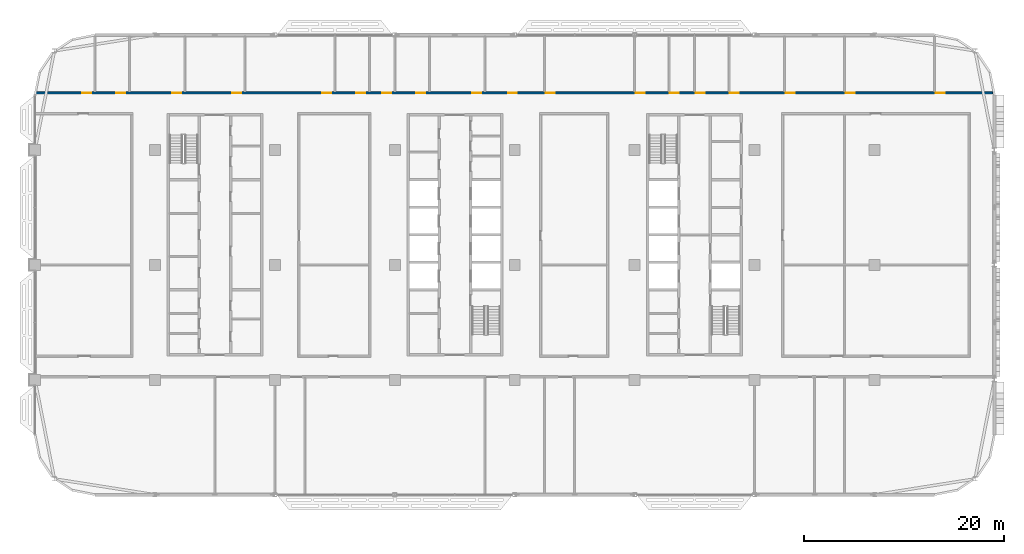
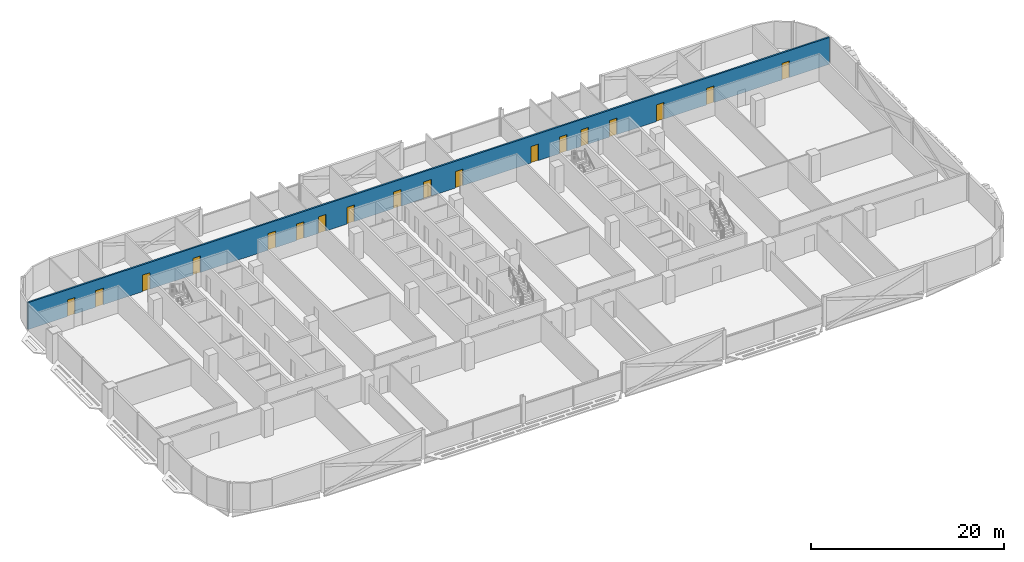
# One storey, part 16 of 30: 18 doors, 1 wall, 18 openings.
"""IFC4 building model written with IfcOpenShell, lengths in metres."""

from ifc_helpers import new_model, si_unit, direction, frame, frame_2d, origin, place, context, subcontext, project, spatial, rectangle, extrude, material, layer, layer_set, type_object, element, fill, save


model = new_model("IFC4")

# Units and contexts
model_context = context("Model", 3, precision=1e-05, world=origin(), true_north=direction((0.0, 1.0)))
body_context = subcontext(model_context, "Body", "Model", "MODEL_VIEW")
ifc_project = project(units=[si_unit("LENGTHUNIT", "METRE"), si_unit("AREAUNIT", "SQUARE_METRE"), si_unit("VOLUMEUNIT", "CUBIC_METRE"), si_unit("PLANEANGLEUNIT", "RADIAN"), si_unit("MASSUNIT", "GRAM", prefix="KILO")], contexts=[model_context])

# Site, building, storey
site_placement = place(None, origin())
site = spatial("IfcSite", under=ifc_project, at=site_placement, CompositionType="ELEMENT")
building_placement = place(site_placement, origin())
building = spatial("IfcBuilding", under=site, at=building_placement, Name="Mahtab Terrace Research Tower", CompositionType="ELEMENT")
storey_placement = place(building_placement, frame((0.0, 0.0, 220.5)))
storey = spatial("IfcBuildingStorey", under=building, at=storey_placement, Name="L53", CompositionType="ELEMENT", Elevation=220.5)

# Wall, openings, doors
ifc_material_1 = material(Name="Gypsum board corridor wall on steel studs", Category="steel")
ifc_layer = layer(ifc_material_1, 0.199951171875)
ifc_layer_set = layer_set([ifc_layer], Name="WALL CORRIDOR 200")
wall_type = type_object("IfcWallType", Name="WALL CORRIDOR 200", PredefinedType="PARTITIONING", material=ifc_layer_set)
wall_placement = place(storey_placement, frame((-41.97509765625, 17.199951171875, 0.0), z_axis=(0.0, 0.0, 1.0), x_axis=(1.0, 0.0, 0.0)))
wall = element("IfcWall", 1, at=wall_placement, inside=storey, type_object=wall_type, Name="L53-W022", PredefinedType="PARTITIONING", context=body_context, shape_type="SweptSolid", body=[
    extrude(rectangle(XDim=95.782470703125, YDim=0.199951171875, at=frame_2d((47.89111328125, 0.0))), origin(), (0.0, 0.0, 1.0), 3.39990234375),
])
opening_1_placement = place(wall_placement, frame((4.699951171875, 0.0, 0.0)))
opening_1 = element("IfcOpeningElement", 2, at=opening_1_placement, cuts=wall, Name="Opening L53-121", PredefinedType="OPENING", context=body_context, shape_type="SweptSolid", body=[
    extrude(rectangle(XDim=0.89990234375, YDim=2.10009765625, at=frame_2d((0.449951171875, 1.050048828125))), frame((0.0, 0.10986328125, 0.0), z_axis=(0.0, -1.0, 0.0), x_axis=(1.0, 0.0, 0.0)), (0.0, 0.0, 1.0), 0.219970703125),
])
opening_2_placement = place(wall_placement, frame((8.10009765625, 0.0, 0.0)))
opening_2 = element("IfcOpeningElement", 3, at=opening_2_placement, cuts=wall, Name="Opening L53-122", PredefinedType="OPENING", context=body_context, shape_type="SweptSolid", body=[
    extrude(rectangle(XDim=0.89990234375, YDim=2.10009765625, at=frame_2d((0.449951171875, 1.050048828125))), frame((0.0, 0.10986328125, 0.0), z_axis=(0.0, -1.0, 0.0), x_axis=(1.0, 0.0, 0.0)), (0.0, 0.0, 1.0), 0.219970703125),
])
opening_3_placement = place(wall_placement, frame((13.699951171875, 0.0, 0.0)))
opening_3 = element("IfcOpeningElement", 4, at=opening_3_placement, cuts=wall, Name="Opening L53-123", PredefinedType="OPENING", context=body_context, shape_type="SweptSolid", body=[
    extrude(rectangle(XDim=0.89990234375, YDim=2.10009765625, at=frame_2d((0.449951171875, 1.050048828125))), frame((0.0, 0.10986328125, 0.0), z_axis=(0.0, -1.0, 0.0), x_axis=(1.0, 0.0, 0.0)), (0.0, 0.0, 1.0), 0.219970703125),
])
opening_4_placement = place(wall_placement, frame((19.699951171875, 0.0, 0.0)))
opening_4 = element("IfcOpeningElement", 5, at=opening_4_placement, cuts=wall, Name="Opening L53-124", PredefinedType="OPENING", context=body_context, shape_type="SweptSolid", body=[
    extrude(rectangle(XDim=0.89990234375, YDim=2.10009765625, at=frame_2d((0.449951171875, 1.050048828125))), frame((0.0, 0.10986328125, 0.0), z_axis=(0.0, -1.0, 0.0), x_axis=(1.0, 0.0, 0.0)), (0.0, 0.0, 1.0), 0.219970703125),
])
opening_5_placement = place(wall_placement, frame((28.699951171875, 0.0, 0.0)))
opening_5 = element("IfcOpeningElement", 6, at=opening_5_placement, cuts=wall, Name="Opening L53-125", PredefinedType="OPENING", context=body_context, shape_type="SweptSolid", body=[
    extrude(rectangle(XDim=0.89990234375, YDim=2.10009765625, at=frame_2d((0.449951171875, 1.050048828125))), frame((0.0, 0.10986328125, 0.0), z_axis=(0.0, -1.0, 0.0), x_axis=(1.0, 0.0, 0.0)), (0.0, 0.0, 1.0), 0.219970703125),
])
opening_6_placement = place(wall_placement, frame((32.10009765625, 0.0, 0.0)))
opening_6 = element("IfcOpeningElement", 7, at=opening_6_placement, cuts=wall, Name="Opening L53-126", PredefinedType="OPENING", context=body_context, shape_type="SweptSolid", body=[
    extrude(rectangle(XDim=0.89990234375, YDim=2.10009765625, at=frame_2d((0.449951171875, 1.050048828125))), frame((0.0, 0.10986328125, 0.0), z_axis=(0.0, -1.0, 0.0), x_axis=(1.0, 0.0, 0.0)), (0.0, 0.0, 1.0), 0.219970703125),
])
opening_7_placement = place(wall_placement, frame((34.699951171875, 0.0, 0.0)))
opening_7 = element("IfcOpeningElement", 8, at=opening_7_placement, cuts=wall, Name="Opening L53-127", PredefinedType="OPENING", context=body_context, shape_type="SweptSolid", body=[
    extrude(rectangle(XDim=0.89990234375, YDim=2.10009765625, at=frame_2d((0.449951171875, 1.050048828125))), frame((0.0, 0.10986328125, 0.0), z_axis=(0.0, -1.0, 0.0), x_axis=(1.0, 0.0, 0.0)), (0.0, 0.0, 1.0), 0.219970703125),
])
opening_8_placement = place(wall_placement, frame((38.10009765625, 0.0, 0.0)))
opening_8 = element("IfcOpeningElement", 9, at=opening_8_placement, cuts=wall, Name="Opening L53-128", PredefinedType="OPENING", context=body_context, shape_type="SweptSolid", body=[
    extrude(rectangle(XDim=0.89990234375, YDim=2.10009765625, at=frame_2d((0.449951171875, 1.050048828125))), frame((0.0, 0.10986328125, 0.0), z_axis=(0.0, -1.0, 0.0), x_axis=(1.0, 0.0, 0.0)), (0.0, 0.0, 1.0), 0.219970703125),
])
opening_9_placement = place(wall_placement, frame((43.699951171875, 0.0, 0.0)))
opening_9 = element("IfcOpeningElement", 10, at=opening_9_placement, cuts=wall, Name="Opening L53-129", PredefinedType="OPENING", context=body_context, shape_type="SweptSolid", body=[
    extrude(rectangle(XDim=0.89990234375, YDim=2.10009765625, at=frame_2d((0.449951171875, 1.050048828125))), frame((0.0, 0.10986328125, 0.0), z_axis=(0.0, -1.0, 0.0), x_axis=(1.0, 0.0, 0.0)), (0.0, 0.0, 1.0), 0.219970703125),
])
opening_10_placement = place(wall_placement, frame((47.300048828125, 0.0, 0.0)))
opening_10 = element("IfcOpeningElement", 11, at=opening_10_placement, cuts=wall, Name="Opening L53-130", PredefinedType="OPENING", context=body_context, shape_type="SweptSolid", body=[
    extrude(rectangle(XDim=0.89990234375, YDim=2.10009765625, at=frame_2d((0.449951171875, 1.050048828125))), frame((0.0, 0.10986328125, 0.0), z_axis=(0.0, -1.0, 0.0), x_axis=(1.0, 0.0, 0.0)), (0.0, 0.0, 1.0), 0.219970703125),
])
opening_11_placement = place(wall_placement, frame((51.10009765625, 0.0, 0.0)))
opening_11 = element("IfcOpeningElement", 12, at=opening_11_placement, cuts=wall, Name="Opening L53-131", PredefinedType="OPENING", context=body_context, shape_type="SweptSolid", body=[
    extrude(rectangle(XDim=0.89990234375, YDim=2.10009765625, at=frame_2d((0.449951171875, 1.050048828125))), frame((0.0, 0.10986328125, 0.0), z_axis=(0.0, -1.0, 0.0), x_axis=(1.0, 0.0, 0.0)), (0.0, 0.0, 1.0), 0.219970703125),
])
opening_12_placement = place(wall_placement, frame((60.10009765625, 0.0, 0.0)))
opening_12 = element("IfcOpeningElement", 13, at=opening_12_placement, cuts=wall, Name="Opening L53-132", PredefinedType="OPENING", context=body_context, shape_type="SweptSolid", body=[
    extrude(rectangle(XDim=0.89990234375, YDim=2.10009765625, at=frame_2d((0.449951171875, 1.050048828125))), frame((0.0, 0.10986328125, 0.0), z_axis=(0.0, -1.0, 0.0), x_axis=(1.0, 0.0, 0.0)), (0.0, 0.0, 1.0), 0.219970703125),
])
opening_13_placement = place(wall_placement, frame((63.5, 0.0, 0.0)))
opening_13 = element("IfcOpeningElement", 14, at=opening_13_placement, cuts=wall, Name="Opening L53-133", PredefinedType="OPENING", context=body_context, shape_type="SweptSolid", body=[
    extrude(rectangle(XDim=0.89990234375, YDim=2.10009765625, at=frame_2d((0.449951171875, 1.050048828125))), frame((0.0, 0.10986328125, 0.0), z_axis=(0.0, -1.0, 0.0), x_axis=(1.0, 0.0, 0.0)), (0.0, 0.0, 1.0), 0.219970703125),
])
opening_14_placement = place(wall_placement, frame((66.10009765625, 0.0, 0.0)))
opening_14 = element("IfcOpeningElement", 15, at=opening_14_placement, cuts=wall, Name="Opening L53-134", PredefinedType="OPENING", context=body_context, shape_type="SweptSolid", body=[
    extrude(rectangle(XDim=0.89990234375, YDim=2.10009765625, at=frame_2d((0.449951171875, 1.050048828125))), frame((0.0, 0.10986328125, 0.0), z_axis=(0.0, -1.0, 0.0), x_axis=(1.0, 0.0, 0.0)), (0.0, 0.0, 1.0), 0.219970703125),
])
opening_15_placement = place(wall_placement, frame((69.5, 0.0, 0.0)))
opening_15 = element("IfcOpeningElement", 16, at=opening_15_placement, cuts=wall, Name="Opening L53-135", PredefinedType="OPENING", context=body_context, shape_type="SweptSolid", body=[
    extrude(rectangle(XDim=0.89990234375, YDim=2.10009765625, at=frame_2d((0.449951171875, 1.050048828125))), frame((0.0, 0.10986328125, 0.0), z_axis=(0.0, -1.0, 0.0), x_axis=(1.0, 0.0, 0.0)), (0.0, 0.0, 1.0), 0.219970703125),
])
opening_16_placement = place(wall_placement, frame((75.10009765625, 0.0, 0.0)))
opening_16 = element("IfcOpeningElement", 17, at=opening_16_placement, cuts=wall, Name="Opening L53-136", PredefinedType="OPENING", context=body_context, shape_type="SweptSolid", body=[
    extrude(rectangle(XDim=0.89990234375, YDim=2.10009765625, at=frame_2d((0.449951171875, 1.050048828125))), frame((0.0, 0.10986328125, 0.0), z_axis=(0.0, -1.0, 0.0), x_axis=(1.0, 0.0, 0.0)), (0.0, 0.0, 1.0), 0.219970703125),
])
opening_17_placement = place(wall_placement, frame((81.10009765625, 0.0, 0.0)))
opening_17 = element("IfcOpeningElement", 18, at=opening_17_placement, cuts=wall, Name="Opening L53-137", PredefinedType="OPENING", context=body_context, shape_type="SweptSolid", body=[
    extrude(rectangle(XDim=0.89990234375, YDim=2.10009765625, at=frame_2d((0.449951171875, 1.050048828125))), frame((0.0, 0.10986328125, 0.0), z_axis=(0.0, -1.0, 0.0), x_axis=(1.0, 0.0, 0.0)), (0.0, 0.0, 1.0), 0.219970703125),
])
opening_18_placement = place(wall_placement, frame((90.10009765625, 0.0, 0.0)))
opening_18 = element("IfcOpeningElement", 19, at=opening_18_placement, cuts=wall, Name="Opening L53-138", PredefinedType="OPENING", context=body_context, shape_type="SweptSolid", body=[
    extrude(rectangle(XDim=0.89990234375, YDim=2.10009765625, at=frame_2d((0.449951171875, 1.050048828125))), frame((0.0, 0.10986328125, 0.0), z_axis=(0.0, -1.0, 0.0), x_axis=(1.0, 0.0, 0.0)), (0.0, 0.0, 1.0), 0.219970703125),
])
ifc_material_2 = material(Name="Timber door leaf in steel frame", Category="steel")
door_type = type_object("IfcDoorType", Name="DOOR 0900X2100 FD30S", OperationType="SINGLE_SWING_LEFT", PredefinedType="DOOR", material=ifc_material_2)
door_1_placement = place(opening_1_placement, origin())
door_1 = element("IfcDoor", 20, at=door_1_placement, inside=storey, type_object=door_type, Name="Door L53-121", OperationType="SINGLE_SWING_LEFT", OverallHeight=2.10009765625, OverallWidth=0.89990234375, PredefinedType="DOOR", context=body_context, shape_type="SweptSolid", body=[
    extrude(rectangle(XDim=0.89990234375, YDim=2.10009765625, at=frame_2d((0.449951171875, 1.050048828125))), frame((0.0, 0.02490234375, 0.0), z_axis=(0.0, -1.0, 0.0), x_axis=(1.0, 0.0, 0.0)), (0.0, 0.0, 1.0), 0.050048828125),
])
fill(opening_1, door_1)
door_2_placement = place(opening_2_placement, origin())
door_2 = element("IfcDoor", 21, at=door_2_placement, inside=storey, type_object=door_type, Name="Door L53-122", OperationType="SINGLE_SWING_LEFT", OverallHeight=2.10009765625, OverallWidth=0.89990234375, PredefinedType="DOOR", context=body_context, shape_type="SweptSolid", body=[
    extrude(rectangle(XDim=0.89990234375, YDim=2.10009765625, at=frame_2d((0.449951171875, 1.050048828125))), frame((0.0, 0.02490234375, 0.0), z_axis=(0.0, -1.0, 0.0), x_axis=(1.0, 0.0, 0.0)), (0.0, 0.0, 1.0), 0.050048828125),
])
fill(opening_2, door_2)
door_3_placement = place(opening_3_placement, origin())
door_3 = element("IfcDoor", 22, at=door_3_placement, inside=storey, type_object=door_type, Name="Door L53-123", OperationType="SINGLE_SWING_LEFT", OverallHeight=2.10009765625, OverallWidth=0.89990234375, PredefinedType="DOOR", context=body_context, shape_type="SweptSolid", body=[
    extrude(rectangle(XDim=0.89990234375, YDim=2.10009765625, at=frame_2d((0.449951171875, 1.050048828125))), frame((0.0, 0.02490234375, 0.0), z_axis=(0.0, -1.0, 0.0), x_axis=(1.0, 0.0, 0.0)), (0.0, 0.0, 1.0), 0.050048828125),
])
fill(opening_3, door_3)
door_4_placement = place(opening_4_placement, origin())
door_4 = element("IfcDoor", 23, at=door_4_placement, inside=storey, type_object=door_type, Name="Door L53-124", OperationType="SINGLE_SWING_LEFT", OverallHeight=2.10009765625, OverallWidth=0.89990234375, PredefinedType="DOOR", context=body_context, shape_type="SweptSolid", body=[
    extrude(rectangle(XDim=0.89990234375, YDim=2.10009765625, at=frame_2d((0.449951171875, 1.050048828125))), frame((0.0, 0.02490234375, 0.0), z_axis=(0.0, -1.0, 0.0), x_axis=(1.0, 0.0, 0.0)), (0.0, 0.0, 1.0), 0.050048828125),
])
fill(opening_4, door_4)
door_5_placement = place(opening_5_placement, origin())
door_5 = element("IfcDoor", 24, at=door_5_placement, inside=storey, type_object=door_type, Name="Door L53-125", OperationType="SINGLE_SWING_LEFT", OverallHeight=2.10009765625, OverallWidth=0.89990234375, PredefinedType="DOOR", context=body_context, shape_type="SweptSolid", body=[
    extrude(rectangle(XDim=0.89990234375, YDim=2.10009765625, at=frame_2d((0.449951171875, 1.050048828125))), frame((0.0, 0.02490234375, 0.0), z_axis=(0.0, -1.0, 0.0), x_axis=(1.0, 0.0, 0.0)), (0.0, 0.0, 1.0), 0.050048828125),
])
fill(opening_5, door_5)
door_6_placement = place(opening_6_placement, origin())
door_6 = element("IfcDoor", 25, at=door_6_placement, inside=storey, type_object=door_type, Name="Door L53-126", OperationType="SINGLE_SWING_LEFT", OverallHeight=2.10009765625, OverallWidth=0.89990234375, PredefinedType="DOOR", context=body_context, shape_type="SweptSolid", body=[
    extrude(rectangle(XDim=0.89990234375, YDim=2.10009765625, at=frame_2d((0.449951171875, 1.050048828125))), frame((0.0, 0.02490234375, 0.0), z_axis=(0.0, -1.0, 0.0), x_axis=(1.0, 0.0, 0.0)), (0.0, 0.0, 1.0), 0.050048828125),
])
fill(opening_6, door_6)
door_7_placement = place(opening_7_placement, origin())
door_7 = element("IfcDoor", 26, at=door_7_placement, inside=storey, type_object=door_type, Name="Door L53-127", OperationType="SINGLE_SWING_LEFT", OverallHeight=2.10009765625, OverallWidth=0.89990234375, PredefinedType="DOOR", context=body_context, shape_type="SweptSolid", body=[
    extrude(rectangle(XDim=0.89990234375, YDim=2.10009765625, at=frame_2d((0.449951171875, 1.050048828125))), frame((0.0, 0.02490234375, 0.0), z_axis=(0.0, -1.0, 0.0), x_axis=(1.0, 0.0, 0.0)), (0.0, 0.0, 1.0), 0.050048828125),
])
fill(opening_7, door_7)
door_8_placement = place(opening_8_placement, origin())
door_8 = element("IfcDoor", 27, at=door_8_placement, inside=storey, type_object=door_type, Name="Door L53-128", OperationType="SINGLE_SWING_LEFT", OverallHeight=2.10009765625, OverallWidth=0.89990234375, PredefinedType="DOOR", context=body_context, shape_type="SweptSolid", body=[
    extrude(rectangle(XDim=0.89990234375, YDim=2.10009765625, at=frame_2d((0.449951171875, 1.050048828125))), frame((0.0, 0.02490234375, 0.0), z_axis=(0.0, -1.0, 0.0), x_axis=(1.0, 0.0, 0.0)), (0.0, 0.0, 1.0), 0.050048828125),
])
fill(opening_8, door_8)
door_9_placement = place(opening_9_placement, origin())
door_9 = element("IfcDoor", 28, at=door_9_placement, inside=storey, type_object=door_type, Name="Door L53-129", OperationType="SINGLE_SWING_LEFT", OverallHeight=2.10009765625, OverallWidth=0.89990234375, PredefinedType="DOOR", context=body_context, shape_type="SweptSolid", body=[
    extrude(rectangle(XDim=0.89990234375, YDim=2.10009765625, at=frame_2d((0.449951171875, 1.050048828125))), frame((0.0, 0.02490234375, 0.0), z_axis=(0.0, -1.0, 0.0), x_axis=(1.0, 0.0, 0.0)), (0.0, 0.0, 1.0), 0.050048828125),
])
fill(opening_9, door_9)
door_10_placement = place(opening_10_placement, origin())
door_10 = element("IfcDoor", 29, at=door_10_placement, inside=storey, type_object=door_type, Name="Door L53-130", OperationType="SINGLE_SWING_LEFT", OverallHeight=2.10009765625, OverallWidth=0.89990234375, PredefinedType="DOOR", context=body_context, shape_type="SweptSolid", body=[
    extrude(rectangle(XDim=0.89990234375, YDim=2.10009765625, at=frame_2d((0.449951171875, 1.050048828125))), frame((0.0, 0.02490234375, 0.0), z_axis=(0.0, -1.0, 0.0), x_axis=(1.0, 0.0, 0.0)), (0.0, 0.0, 1.0), 0.050048828125),
])
fill(opening_10, door_10)
door_11_placement = place(opening_11_placement, origin())
door_11 = element("IfcDoor", 30, at=door_11_placement, inside=storey, type_object=door_type, Name="Door L53-131", OperationType="SINGLE_SWING_RIGHT", OverallHeight=2.10009765625, OverallWidth=0.89990234375, PredefinedType="DOOR", context=body_context, shape_type="SweptSolid", body=[
    extrude(rectangle(XDim=0.89990234375, YDim=2.10009765625, at=frame_2d((0.449951171875, 1.050048828125))), frame((0.0, 0.02490234375, 0.0), z_axis=(0.0, -1.0, 0.0), x_axis=(1.0, 0.0, 0.0)), (0.0, 0.0, 1.0), 0.050048828125),
])
fill(opening_11, door_11)
door_12_placement = place(opening_12_placement, origin())
door_12 = element("IfcDoor", 31, at=door_12_placement, inside=storey, type_object=door_type, Name="Door L53-132", OperationType="SINGLE_SWING_RIGHT", OverallHeight=2.10009765625, OverallWidth=0.89990234375, PredefinedType="DOOR", context=body_context, shape_type="SweptSolid", body=[
    extrude(rectangle(XDim=0.89990234375, YDim=2.10009765625, at=frame_2d((0.449951171875, 1.050048828125))), frame((0.0, 0.02490234375, 0.0), z_axis=(0.0, -1.0, 0.0), x_axis=(1.0, 0.0, 0.0)), (0.0, 0.0, 1.0), 0.050048828125),
])
fill(opening_12, door_12)
door_13_placement = place(opening_13_placement, origin())
door_13 = element("IfcDoor", 32, at=door_13_placement, inside=storey, type_object=door_type, Name="Door L53-133", OperationType="SINGLE_SWING_RIGHT", OverallHeight=2.10009765625, OverallWidth=0.89990234375, PredefinedType="DOOR", context=body_context, shape_type="SweptSolid", body=[
    extrude(rectangle(XDim=0.89990234375, YDim=2.10009765625, at=frame_2d((0.449951171875, 1.050048828125))), frame((0.0, 0.02490234375, 0.0), z_axis=(0.0, -1.0, 0.0), x_axis=(1.0, 0.0, 0.0)), (0.0, 0.0, 1.0), 0.050048828125),
])
fill(opening_13, door_13)
door_14_placement = place(opening_14_placement, origin())
door_14 = element("IfcDoor", 33, at=door_14_placement, inside=storey, type_object=door_type, Name="Door L53-134", OperationType="SINGLE_SWING_RIGHT", OverallHeight=2.10009765625, OverallWidth=0.89990234375, PredefinedType="DOOR", context=body_context, shape_type="SweptSolid", body=[
    extrude(rectangle(XDim=0.89990234375, YDim=2.10009765625, at=frame_2d((0.449951171875, 1.050048828125))), frame((0.0, 0.02490234375, 0.0), z_axis=(0.0, -1.0, 0.0), x_axis=(1.0, 0.0, 0.0)), (0.0, 0.0, 1.0), 0.050048828125),
])
fill(opening_14, door_14)
door_15_placement = place(opening_15_placement, origin())
door_15 = element("IfcDoor", 34, at=door_15_placement, inside=storey, type_object=door_type, Name="Door L53-135", OperationType="SINGLE_SWING_RIGHT", OverallHeight=2.10009765625, OverallWidth=0.89990234375, PredefinedType="DOOR", context=body_context, shape_type="SweptSolid", body=[
    extrude(rectangle(XDim=0.89990234375, YDim=2.10009765625, at=frame_2d((0.449951171875, 1.050048828125))), frame((0.0, 0.02490234375, 0.0), z_axis=(0.0, -1.0, 0.0), x_axis=(1.0, 0.0, 0.0)), (0.0, 0.0, 1.0), 0.050048828125),
])
fill(opening_15, door_15)
door_16_placement = place(opening_16_placement, origin())
door_16 = element("IfcDoor", 35, at=door_16_placement, inside=storey, type_object=door_type, Name="Door L53-136", OperationType="SINGLE_SWING_RIGHT", OverallHeight=2.10009765625, OverallWidth=0.89990234375, PredefinedType="DOOR", context=body_context, shape_type="SweptSolid", body=[
    extrude(rectangle(XDim=0.89990234375, YDim=2.10009765625, at=frame_2d((0.449951171875, 1.050048828125))), frame((0.0, 0.02490234375, 0.0), z_axis=(0.0, -1.0, 0.0), x_axis=(1.0, 0.0, 0.0)), (0.0, 0.0, 1.0), 0.050048828125),
])
fill(opening_16, door_16)
door_17_placement = place(opening_17_placement, origin())
door_17 = element("IfcDoor", 36, at=door_17_placement, inside=storey, type_object=door_type, Name="Door L53-137", OperationType="SINGLE_SWING_RIGHT", OverallHeight=2.10009765625, OverallWidth=0.89990234375, PredefinedType="DOOR", context=body_context, shape_type="SweptSolid", body=[
    extrude(rectangle(XDim=0.89990234375, YDim=2.10009765625, at=frame_2d((0.449951171875, 1.050048828125))), frame((0.0, 0.02490234375, 0.0), z_axis=(0.0, -1.0, 0.0), x_axis=(1.0, 0.0, 0.0)), (0.0, 0.0, 1.0), 0.050048828125),
])
fill(opening_17, door_17)
door_18_placement = place(opening_18_placement, origin())
door_18 = element("IfcDoor", 37, at=door_18_placement, inside=storey, type_object=door_type, Name="Door L53-138", OperationType="SINGLE_SWING_RIGHT", OverallHeight=2.10009765625, OverallWidth=0.89990234375, PredefinedType="DOOR", context=body_context, shape_type="SweptSolid", body=[
    extrude(rectangle(XDim=0.89990234375, YDim=2.10009765625, at=frame_2d((0.449951171875, 1.050048828125))), frame((0.0, 0.02490234375, 0.0), z_axis=(0.0, -1.0, 0.0), x_axis=(1.0, 0.0, 0.0)), (0.0, 0.0, 1.0), 0.050048828125),
])
fill(opening_18, door_18)

save(model, "model.ifc")
